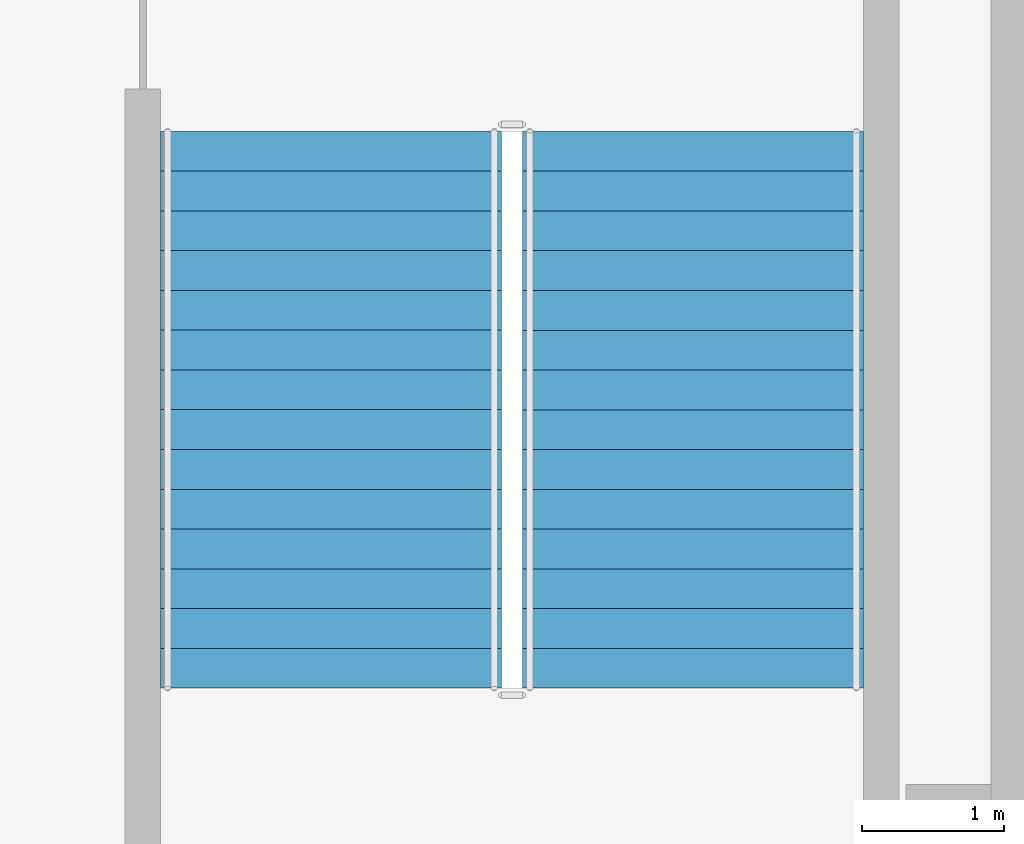
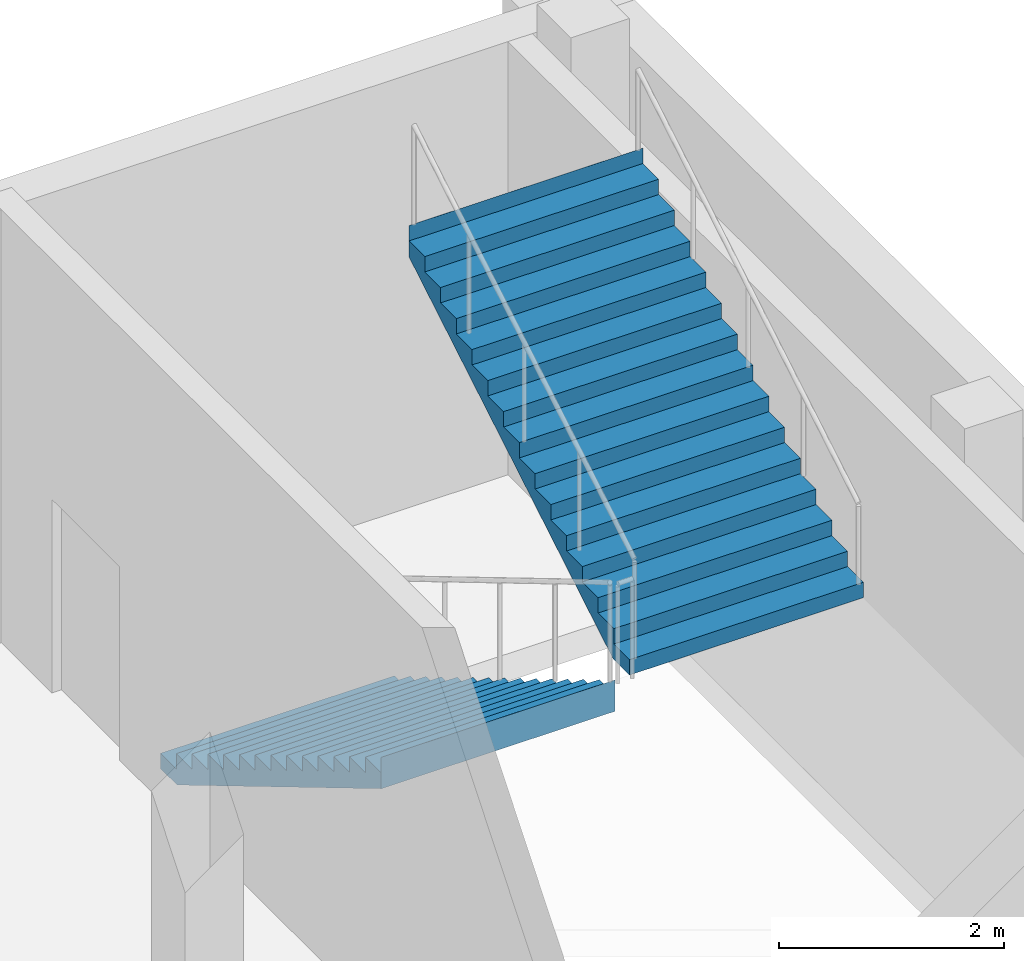
# One storey, part 20 of 32: 2 stair flights, 1 element without a shape of its own.
"""IFC4 building model written with IfcOpenShell, lengths in metres."""

from ifc_helpers import new_model, si_unit, direction, frame, origin, place, context, subcontext, project, spatial, polyline, outline, extrude, material, type_object, element, aggregate, save


model = new_model("IFC4")

# Units and contexts
model_context = context("Model", 3, precision=1e-05, world=origin(), true_north=direction((0.0, 1.0)))
body_context = subcontext(model_context, "Body", "Model", "MODEL_VIEW")
ifc_project = project(units=[si_unit("LENGTHUNIT", "METRE"), si_unit("AREAUNIT", "SQUARE_METRE"), si_unit("VOLUMEUNIT", "CUBIC_METRE"), si_unit("PLANEANGLEUNIT", "RADIAN"), si_unit("MASSUNIT", "GRAM", prefix="KILO")], contexts=[model_context])

# Site, building, storey
site_placement = place(None, origin())
site = spatial("IfcSite", under=ifc_project, at=site_placement, CompositionType="ELEMENT")
building_placement = place(site_placement, origin())
building = spatial("IfcBuilding", under=site, at=building_placement, Name="Tamorin Gate", CompositionType="ELEMENT")
storey_placement = place(building_placement, frame((0.0, 0.0, 13.5)))
storey = spatial("IfcBuildingStorey", under=building, at=storey_placement, Name="L02", CompositionType="ELEMENT", Elevation=13.5)

# Stair, stair flights
ifc_material = material(Name="Concrete C40/50", Category="concrete")
stair_type = type_object("IfcStairType", Name="Museum exit stair 2400 C40/50", PredefinedType="HALF_TURN_STAIR", material=ifc_material)
stair_placement = place(storey_placement, origin())
stair = element("IfcStair", 1, at=stair_placement, inside=storey, type_object=stair_type, Name="L02 PS9", PredefinedType="HALF_TURN_STAIR")
stair_flight_type = type_object("IfcStairFlightType", Name="Museum exit stair flight 2400 C40/50", PredefinedType="STRAIGHT", material=ifc_material)
stair_flight_1_placement = place(storey_placement, frame((205.35009765625, 95.60009765625, 0.0), z_axis=(0.0, 0.0, 1.0), x_axis=(0.0, -1.0, 0.0)))
stair_flight_1 = element("IfcStairFlight", 2, at=stair_flight_1_placement, type_object=stair_flight_type, Name="PS9 flight 1", NumberOfRisers=15, NumberOfTreads=14, PredefinedType="STRAIGHT", RiserHeight=0.166666667, TreadLength=0.28, context=body_context, shape_type="SweptSolid", body=[
    extrude(outline(polyline([(-0.00048828125, 0.0), (-0.00048828125, 0.001708984375), (-0.00048828125, 0.00341796875), (-0.00048828125, 0.0048828125), (-0.00048828125, 0.006591796875), (-0.00048828125, 0.00830078125), (-0.00048828125, 0.010009765625), (-0.00048828125, 0.011474609375), (-0.00048828125, 0.01318359375), (-0.00048828125, 0.014892578125), (-0.00048828125, 0.0166015625), (-0.00048828125, 0.01806640625), (-0.00048828125, 0.019775390625), (-0.00048828125, 0.021484375), (-0.00048828125, 0.023193359375), (-0.00048828125, 0.024658203125), (-0.00048828125, 0.0263671875), (-0.00048828125, 0.028076171875), (-0.00048828125, 0.02978515625), (-0.00048828125, 0.03125), (-0.00048828125, 0.032958984375), (-0.00048828125, 0.03466796875), (-0.00048828125, 0.036376953125), (-0.00048828125, 0.037841796875), (-0.00048828125, 0.03955078125), (-0.00048828125, 0.041259765625), (-0.00048828125, 0.04296875), (-0.00048828125, 0.04443359375), (-0.00048828125, 0.046142578125), (-0.00048828125, 0.0478515625), (-0.00048828125, 0.049560546875), (-0.00048828125, 0.05126953125), (-0.00048828125, 0.052734375), (-0.00048828125, 0.054443359375), (-0.00048828125, 0.05615234375), (-0.00048828125, 0.057861328125), (-0.00048828125, 0.059326171875), (-0.00048828125, 0.06103515625), (-0.00048828125, 0.062744140625), (-0.00048828125, 0.064453125), (-0.00048828125, 0.06591796875), (-0.00048828125, 0.067626953125), (-0.00048828125, 0.0693359375), (-0.00048828125, 0.071044921875), (-0.00048828125, 0.072509765625), (-0.00048828125, 0.07421875), (-0.00048828125, 0.075927734375), (-0.00048828125, 0.07763671875), (-0.00048828125, 0.0791015625), (-0.00048828125, 0.080810546875), (-0.00048828125, 0.08251953125), (-0.00048828125, 0.084228515625), (-0.00048828125, 0.085693359375), (-0.00048828125, 0.08740234375), (-0.00048828125, 0.089111328125), (-0.00048828125, 0.0908203125), (-0.00048828125, 0.092529296875), (-0.00048828125, 0.093994140625), (-0.00048828125, 0.095703125), (-0.00048828125, 0.097412109375), (-0.00048828125, 0.09912109375), (-0.00048828125, 0.1005859375), (-0.00048828125, 0.102294921875), (-0.00048828125, 0.10400390625), (-0.00048828125, 0.105712890625), (-0.00048828125, 0.107177734375), (-0.00048828125, 0.10888671875), (-0.00048828125, 0.110595703125), (-0.00048828125, 0.1123046875), (-0.00048828125, 0.11376953125), (-0.00048828125, 0.115478515625), (-0.00048828125, 0.1171875), (-0.00048828125, 0.118896484375), (-0.00048828125, 0.120361328125), (-0.00048828125, 0.1220703125), (-0.00048828125, 0.123779296875), (-0.00048828125, 0.12548828125), (-0.00048828125, 0.126953125), (-0.00048828125, 0.128662109375), (-0.00048828125, 0.13037109375), (-0.00048828125, 0.132080078125), (-0.00048828125, 0.133544921875), (-0.00048828125, 0.13525390625), (-0.00048828125, 0.136962890625), (-0.00048828125, 0.138671875), (-0.00048828125, 0.140380859375), (-0.00048828125, 0.141845703125), (-0.00048828125, 0.1435546875), (-0.00048828125, 0.145263671875), (-0.00048828125, 0.14697265625), (-0.00048828125, 0.1484375), (-0.00048828125, 0.150146484375), (-0.00048828125, 0.15185546875), (-0.00048828125, 0.153564453125), (-0.00048828125, 0.155029296875), (-0.00048828125, 0.15673828125), (-0.00048828125, 0.158447265625), (-0.00048828125, 0.16015625), (-0.00048828125, 0.16162109375), (-0.00048828125, 0.163330078125), (-0.00048828125, 0.1650390625), (-0.00048828125, 0.166748046875), (0.280029296875, 0.166748046875), (0.280029296875, 0.333251953125), (0.56005859375, 0.333251953125), (0.56005859375, 0.5), (0.840087890625, 0.5), (0.840087890625, 0.666748046875), (1.1201171875, 0.666748046875), (1.1201171875, 0.833251953125), (1.39990234375, 0.833251953125), (1.39990234375, 1.0), (1.679931640625, 1.0), (1.679931640625, 1.166748046875), (1.9599609375, 1.166748046875), (1.9599609375, 1.333251953125), (2.239990234375, 1.333251953125), (2.239990234375, 1.5), (2.52001953125, 1.5), (2.52001953125, 1.666748046875), (2.800048828125, 1.666748046875), (2.800048828125, 1.833251953125), (3.080078125, 1.833251953125), (3.080078125, 2.0), (3.360107421875, 2.0), (3.360107421875, 2.166748046875), (3.639892578125, 2.166748046875), (3.639892578125, 2.333251953125), (3.919921875, 2.333251953125), (3.919921875, 2.5), (3.92041015625, 2.5), (3.92041015625, 2.49658203125), (3.92041015625, 2.4931640625), (3.92041015625, 2.48974609375), (3.92041015625, 2.486572265625), (3.92041015625, 2.483154296875), (3.92041015625, 2.479736328125), (3.92041015625, 2.476318359375), (3.92041015625, 2.472900390625), (3.92041015625, 2.469482421875), (3.92041015625, 2.46630859375), (3.92041015625, 2.462890625), (3.92041015625, 2.45947265625), (3.92041015625, 2.4560546875), (3.92041015625, 2.45263671875), (3.92041015625, 2.44921875), (3.92041015625, 2.446044921875), (3.92041015625, 2.442626953125), (3.92041015625, 2.439208984375), (3.92041015625, 2.435791015625), (3.92041015625, 2.432373046875), (3.92041015625, 2.428955078125), (3.92041015625, 2.42578125), (3.92041015625, 2.42236328125), (3.92041015625, 2.4189453125), (3.92041015625, 2.41552734375), (3.92041015625, 2.412109375), (3.92041015625, 2.40869140625), (3.92041015625, 2.405517578125), (3.92041015625, 2.402099609375), (3.92041015625, 2.398681640625), (3.92041015625, 2.395263671875), (3.92041015625, 2.391845703125), (3.92041015625, 2.388427734375), (3.92041015625, 2.38525390625), (3.92041015625, 2.3818359375), (3.92041015625, 2.37841796875), (3.92041015625, 2.375), (3.92041015625, 2.37158203125), (3.92041015625, 2.3681640625), (3.92041015625, 2.364990234375), (3.92041015625, 2.361572265625), (3.92041015625, 2.358154296875), (3.92041015625, 2.354736328125), (3.92041015625, 2.351318359375), (3.92041015625, 2.347900390625), (3.92041015625, 2.3447265625), (3.92041015625, 2.34130859375), (3.92041015625, 2.337890625), (3.92041015625, 2.33447265625), (3.92041015625, 2.3310546875), (3.92041015625, 2.32763671875), (3.92041015625, 2.324462890625), (3.92041015625, 2.321044921875), (3.92041015625, 2.317626953125), (3.92041015625, 2.314208984375), (3.92041015625, 2.310791015625), (3.92041015625, 2.307373046875), (3.92041015625, 2.30419921875), (3.92041015625, 2.30078125), (3.92041015625, 2.29736328125), (3.92041015625, 2.2939453125), (3.92041015625, 2.29052734375), (3.92041015625, 2.287109375), (3.92041015625, 2.283935546875), (3.92041015625, 2.280517578125), (3.92041015625, 2.277099609375), (3.92041015625, 2.273681640625), (3.92041015625, 2.270263671875), (3.92041015625, 2.266845703125), (3.92041015625, 2.263671875), (3.92041015625, 2.26025390625), (3.92041015625, 2.2568359375), (3.92041015625, 2.25341796875), (3.92041015625, 2.25), (3.92041015625, 2.24658203125), (3.92041015625, 2.243408203125), (3.92041015625, 2.239990234375), (3.92041015625, 2.236572265625), (3.92041015625, 2.233154296875), (3.92041015625, 2.229736328125), (3.92041015625, 2.226318359375), (3.92041015625, 2.22314453125), (3.92041015625, 2.2197265625), (3.92041015625, 2.21630859375), (3.92041015625, 2.212890625), (3.92041015625, 2.20947265625), (3.92041015625, 2.2060546875), (3.92041015625, 2.202880859375), (3.92041015625, 2.199462890625), (3.92041015625, 2.196044921875), (3.92041015625, 2.192626953125), (3.92041015625, 2.189208984375), (3.92041015625, 2.185791015625), (3.92041015625, 2.1826171875), (3.92041015625, 2.17919921875), (3.92041015625, 2.17578125), (3.92041015625, 2.17236328125), (3.92041015625, 2.1689453125), (3.92041015625, 2.16552734375), (3.92041015625, 2.162353515625), (3.92041015625, 2.158935546875), (3.919921875, 2.158935546875), (0.29296875, 0.0), (-0.00048828125, 0.0)])), frame((0.0, 1.199951171875, 0.0), z_axis=(0.0, -1.0, 0.0), x_axis=(1.0, 0.0, 0.0)), (0.0, 0.0, 1.0), 2.39990234375),
])
stair_flight_2_placement = place(storey_placement, frame((207.89990234375, 91.679931640625, 2.5), z_axis=(0.0, 0.0, 1.0), x_axis=(0.0, 1.0, 0.0)))
stair_flight_2 = element("IfcStairFlight", 3, at=stair_flight_2_placement, type_object=stair_flight_type, Name="PS9 flight 2", NumberOfRisers=15, NumberOfTreads=14, PredefinedType="STRAIGHT", RiserHeight=0.166666667, TreadLength=0.28, context=body_context, shape_type="SweptSolid", body=[
    extrude(outline(polyline([(-0.00048828125, 0.0), (-0.00048828125, 0.001708984375), (-0.00048828125, 0.00341796875), (-0.00048828125, 0.0048828125), (-0.00048828125, 0.006591796875), (-0.00048828125, 0.00830078125), (-0.00048828125, 0.010009765625), (-0.00048828125, 0.011474609375), (-0.00048828125, 0.01318359375), (-0.00048828125, 0.014892578125), (-0.00048828125, 0.0166015625), (-0.00048828125, 0.01806640625), (-0.00048828125, 0.019775390625), (-0.00048828125, 0.021484375), (-0.00048828125, 0.023193359375), (-0.00048828125, 0.024658203125), (-0.00048828125, 0.0263671875), (-0.00048828125, 0.028076171875), (-0.00048828125, 0.02978515625), (-0.00048828125, 0.03125), (-0.00048828125, 0.032958984375), (-0.00048828125, 0.03466796875), (-0.00048828125, 0.036376953125), (-0.00048828125, 0.037841796875), (-0.00048828125, 0.03955078125), (-0.00048828125, 0.041259765625), (-0.00048828125, 0.04296875), (-0.00048828125, 0.04443359375), (-0.00048828125, 0.046142578125), (-0.00048828125, 0.0478515625), (-0.00048828125, 0.049560546875), (-0.00048828125, 0.05126953125), (-0.00048828125, 0.052734375), (-0.00048828125, 0.054443359375), (-0.00048828125, 0.05615234375), (-0.00048828125, 0.057861328125), (-0.00048828125, 0.059326171875), (-0.00048828125, 0.06103515625), (-0.00048828125, 0.062744140625), (-0.00048828125, 0.064453125), (-0.00048828125, 0.06591796875), (-0.00048828125, 0.067626953125), (-0.00048828125, 0.0693359375), (-0.00048828125, 0.071044921875), (-0.00048828125, 0.072509765625), (-0.00048828125, 0.07421875), (-0.00048828125, 0.075927734375), (-0.00048828125, 0.07763671875), (-0.00048828125, 0.0791015625), (-0.00048828125, 0.080810546875), (-0.00048828125, 0.08251953125), (-0.00048828125, 0.084228515625), (-0.00048828125, 0.085693359375), (-0.00048828125, 0.08740234375), (-0.00048828125, 0.089111328125), (-0.00048828125, 0.0908203125), (-0.00048828125, 0.092529296875), (-0.00048828125, 0.093994140625), (-0.00048828125, 0.095703125), (-0.00048828125, 0.097412109375), (-0.00048828125, 0.09912109375), (-0.00048828125, 0.1005859375), (-0.00048828125, 0.102294921875), (-0.00048828125, 0.10400390625), (-0.00048828125, 0.105712890625), (-0.00048828125, 0.107177734375), (-0.00048828125, 0.10888671875), (-0.00048828125, 0.110595703125), (-0.00048828125, 0.1123046875), (-0.00048828125, 0.11376953125), (-0.00048828125, 0.115478515625), (-0.00048828125, 0.1171875), (-0.00048828125, 0.118896484375), (-0.00048828125, 0.120361328125), (-0.00048828125, 0.1220703125), (-0.00048828125, 0.123779296875), (-0.00048828125, 0.12548828125), (-0.00048828125, 0.126953125), (-0.00048828125, 0.128662109375), (-0.00048828125, 0.13037109375), (-0.00048828125, 0.132080078125), (-0.00048828125, 0.133544921875), (-0.00048828125, 0.13525390625), (-0.00048828125, 0.136962890625), (-0.00048828125, 0.138671875), (-0.00048828125, 0.140380859375), (-0.00048828125, 0.141845703125), (-0.00048828125, 0.1435546875), (-0.00048828125, 0.145263671875), (-0.00048828125, 0.14697265625), (-0.00048828125, 0.1484375), (-0.00048828125, 0.150146484375), (-0.00048828125, 0.15185546875), (-0.00048828125, 0.153564453125), (-0.00048828125, 0.155029296875), (-0.00048828125, 0.15673828125), (-0.00048828125, 0.158447265625), (-0.00048828125, 0.16015625), (-0.00048828125, 0.16162109375), (-0.00048828125, 0.163330078125), (-0.00048828125, 0.1650390625), (-0.00048828125, 0.166748046875), (0.280029296875, 0.166748046875), (0.280029296875, 0.333251953125), (0.56005859375, 0.333251953125), (0.56005859375, 0.5), (0.840087890625, 0.5), (0.840087890625, 0.666748046875), (1.1201171875, 0.666748046875), (1.1201171875, 0.833251953125), (1.39990234375, 0.833251953125), (1.39990234375, 1.0), (1.679931640625, 1.0), (1.679931640625, 1.166748046875), (1.9599609375, 1.166748046875), (1.9599609375, 1.333251953125), (2.239990234375, 1.333251953125), (2.239990234375, 1.5), (2.52001953125, 1.5), (2.52001953125, 1.666748046875), (2.800048828125, 1.666748046875), (2.800048828125, 1.833251953125), (3.080078125, 1.833251953125), (3.080078125, 2.0), (3.360107421875, 2.0), (3.360107421875, 2.166748046875), (3.639892578125, 2.166748046875), (3.639892578125, 2.333251953125), (3.919921875, 2.333251953125), (3.919921875, 2.5), (3.92041015625, 2.5), (3.92041015625, 2.49658203125), (3.92041015625, 2.4931640625), (3.92041015625, 2.48974609375), (3.92041015625, 2.486572265625), (3.92041015625, 2.483154296875), (3.92041015625, 2.479736328125), (3.92041015625, 2.476318359375), (3.92041015625, 2.472900390625), (3.92041015625, 2.469482421875), (3.92041015625, 2.46630859375), (3.92041015625, 2.462890625), (3.92041015625, 2.45947265625), (3.92041015625, 2.4560546875), (3.92041015625, 2.45263671875), (3.92041015625, 2.44921875), (3.92041015625, 2.446044921875), (3.92041015625, 2.442626953125), (3.92041015625, 2.439208984375), (3.92041015625, 2.435791015625), (3.92041015625, 2.432373046875), (3.92041015625, 2.428955078125), (3.92041015625, 2.42578125), (3.92041015625, 2.42236328125), (3.92041015625, 2.4189453125), (3.92041015625, 2.41552734375), (3.92041015625, 2.412109375), (3.92041015625, 2.40869140625), (3.92041015625, 2.405517578125), (3.92041015625, 2.402099609375), (3.92041015625, 2.398681640625), (3.92041015625, 2.395263671875), (3.92041015625, 2.391845703125), (3.92041015625, 2.388427734375), (3.92041015625, 2.38525390625), (3.92041015625, 2.3818359375), (3.92041015625, 2.37841796875), (3.92041015625, 2.375), (3.92041015625, 2.37158203125), (3.92041015625, 2.3681640625), (3.92041015625, 2.364990234375), (3.92041015625, 2.361572265625), (3.92041015625, 2.358154296875), (3.92041015625, 2.354736328125), (3.92041015625, 2.351318359375), (3.92041015625, 2.347900390625), (3.92041015625, 2.3447265625), (3.92041015625, 2.34130859375), (3.92041015625, 2.337890625), (3.92041015625, 2.33447265625), (3.92041015625, 2.3310546875), (3.92041015625, 2.32763671875), (3.92041015625, 2.324462890625), (3.92041015625, 2.321044921875), (3.92041015625, 2.317626953125), (3.92041015625, 2.314208984375), (3.92041015625, 2.310791015625), (3.92041015625, 2.307373046875), (3.92041015625, 2.30419921875), (3.92041015625, 2.30078125), (3.92041015625, 2.29736328125), (3.92041015625, 2.2939453125), (3.92041015625, 2.29052734375), (3.92041015625, 2.287109375), (3.92041015625, 2.283935546875), (3.92041015625, 2.280517578125), (3.92041015625, 2.277099609375), (3.92041015625, 2.273681640625), (3.92041015625, 2.270263671875), (3.92041015625, 2.266845703125), (3.92041015625, 2.263671875), (3.92041015625, 2.26025390625), (3.92041015625, 2.2568359375), (3.92041015625, 2.25341796875), (3.92041015625, 2.25), (3.92041015625, 2.24658203125), (3.92041015625, 2.243408203125), (3.92041015625, 2.239990234375), (3.92041015625, 2.236572265625), (3.92041015625, 2.233154296875), (3.92041015625, 2.229736328125), (3.92041015625, 2.226318359375), (3.92041015625, 2.22314453125), (3.92041015625, 2.2197265625), (3.92041015625, 2.21630859375), (3.92041015625, 2.212890625), (3.92041015625, 2.20947265625), (3.92041015625, 2.2060546875), (3.92041015625, 2.202880859375), (3.92041015625, 2.199462890625), (3.92041015625, 2.196044921875), (3.92041015625, 2.192626953125), (3.92041015625, 2.189208984375), (3.92041015625, 2.185791015625), (3.92041015625, 2.1826171875), (3.92041015625, 2.17919921875), (3.92041015625, 2.17578125), (3.92041015625, 2.17236328125), (3.92041015625, 2.1689453125), (3.92041015625, 2.16552734375), (3.92041015625, 2.162353515625), (3.92041015625, 2.158935546875), (3.919921875, 2.158935546875), (0.29296875, 0.0), (-0.00048828125, 0.0)])), frame((0.0, 1.199951171875, 0.0), z_axis=(0.0, -1.0, 0.0), x_axis=(1.0, 0.0, 0.0)), (0.0, 0.0, 1.0), 2.39990234375),
])
aggregate(stair, [stair_flight_1, stair_flight_2])

save(model, "model.ifc")
